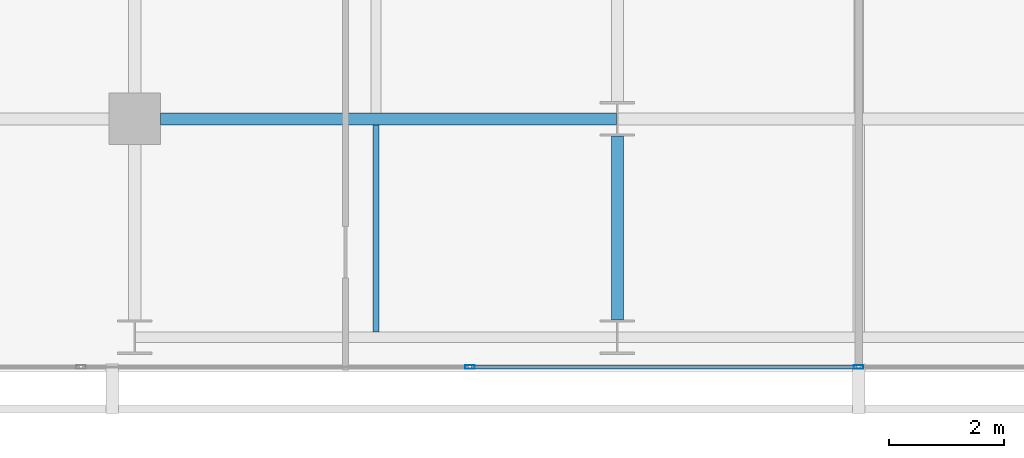
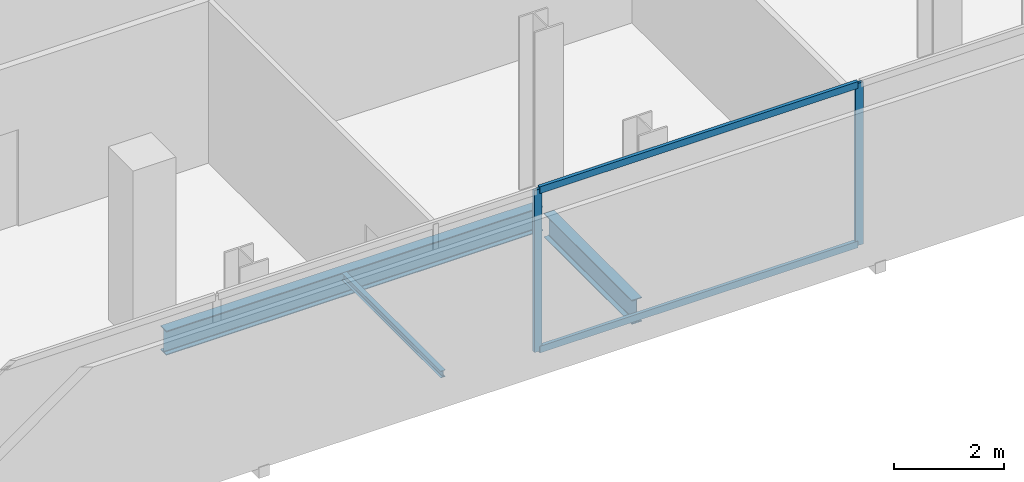
# One storey, part 6 of 32: 4 members, 3 beams, 1 element without a shape of its own.
"""IFC4 building model written with IfcOpenShell, lengths in metres."""

import ifcopenshell
import ifcopenshell.guid

model = None  # the IFC model being written
_history = None  # IfcOwnerHistory: only IFC2X3 demands one
_inside = {}  # id of a spatial element -> (the spatial element, [elements in it])
_under = {}  # id of a project, library or spatial element -> (it, [spatial elements below it])
_declared = {}  # id of a project -> (the project, [libraries it declares])
_typed = {}  # id of a type object -> (the type object, [elements of that type])
_made_of = {}  # id of a material, layer set ... -> (it, [elements and type objects made of it])


def new_model(schema):
    """Start an empty IFC model of exactly this schema.

    Asked for "IFC4X3", IfcOpenShell would pick the latest addendum, in which some entities
    have other attributes; the version numbers below select the first issue.
    IFC2X3 requires an IfcOwnerHistory on every rooted entity: one is made here for all.
    """
    global model, _history
    if schema == "IFC4X3":
        model = ifcopenshell.file(schema_version=(4, 3, 0, 0))
    else:
        model = ifcopenshell.file(schema=schema)
    _inside.clear()
    _under.clear()
    _declared.clear()
    _typed.clear()
    _made_of.clear()
    _history = None
    if model.schema == "IFC2X3":
        org = make("IfcOrganization", Name="unknown")
        user = make(
            "IfcPersonAndOrganization",
            ThePerson=make("IfcPerson", FamilyName="unknown"),
            TheOrganization=org,
        )
        app = make(
            "IfcApplication",
            ApplicationDeveloper=org,
            Version="unknown",
            ApplicationFullName="unknown",
            ApplicationIdentifier="unknown",
        )
        _history = make(
            "IfcOwnerHistory",
            OwningUser=user,
            OwningApplication=app,
            ChangeAction="ADDED",
            CreationDate=0,
        )
    return model


def make(cls, **values):
    """One entity of the class cls with the attributes given. An attribute that is None is left unset."""
    return model.create_entity(
        cls, **{name: value for name, value in values.items() if value is not None}
    )


def rooted(cls, **values):
    """An entity with a GlobalId (a new one), such as an element, a storey or a relation."""
    return make(cls, GlobalId=ifcopenshell.guid.new(), OwnerHistory=_history, **values)


def si_unit(unit_type, name, prefix=None):
    """IfcSIUnit, for example si_unit("LENGTHUNIT", "METRE", prefix="MILLI")."""
    return make("IfcSIUnit", UnitType=unit_type, Prefix=prefix, Name=name)


def assignment(units):
    """IfcUnitAssignment: the units of a project."""
    return None if units is None else make("IfcUnitAssignment", Units=units)


def point(xyz):
    """IfcCartesianPoint."""
    return None if xyz is None else make("IfcCartesianPoint", Coordinates=xyz)


def direction(xyz):
    """IfcDirection."""
    return None if xyz is None else make("IfcDirection", DirectionRatios=xyz)


def frame(location, z_axis=None, x_axis=None):
    """IfcAxis2Placement3D, a coordinate frame: its origin and axes. An axis left out is left unset."""
    return make(
        "IfcAxis2Placement3D",
        Location=point(location),
        Axis=direction(z_axis),
        RefDirection=direction(x_axis),
    )


def frame_2d(location, x_axis=None):
    """IfcAxis2Placement2D, a coordinate frame in the plane: its origin and x axis."""
    return make(
        "IfcAxis2Placement2D", Location=point(location), RefDirection=direction(x_axis)
    )


def origin():
    """The frame at (0, 0, 0) with its axes left unset."""
    return frame((0.0, 0.0, 0.0))


def origin_2d():
    """The frame at (0, 0) in the plane with its x axis left unset."""
    return frame_2d((0.0, 0.0))


def place(relative_to, where):
    """IfcLocalPlacement: puts the frame where relative to a parent placement (None: the world)."""
    return make(
        "IfcLocalPlacement", PlacementRelTo=relative_to, RelativePlacement=where
    )


def context(
    kind, dimensions, precision=None, world=None, true_north=None, identifier=None
):
    """IfcGeometricRepresentationContext, for example the 3D "Model" context."""
    return make(
        "IfcGeometricRepresentationContext",
        ContextIdentifier=identifier,
        ContextType=kind,
        CoordinateSpaceDimension=dimensions,
        Precision=precision,
        WorldCoordinateSystem=world,
        TrueNorth=true_north,
    )


def subcontext(parent, identifier, kind, view, scale=None):
    """IfcGeometricRepresentationSubContext, for example "Body" below "Model"."""
    return make(
        "IfcGeometricRepresentationSubContext",
        ContextIdentifier=identifier,
        ContextType=kind,
        ParentContext=parent,
        TargetScale=scale,
        TargetView=view,
    )


def project(units=None, contexts=None):
    """IfcProject with its units and contexts."""
    return rooted(
        "IfcProject",
        Name="project",
        RepresentationContexts=contexts,
        UnitsInContext=assignment(units),
    )


def spatial(cls, under=None, at=None, **own):
    """A site, building, storey or space (cls), placed at a placement, below another one or the project."""
    s = rooted(cls, ObjectPlacement=at, **own)
    if under is not None:
        _under.setdefault(under.id(), (under, []))[1].append(s)
    return s


def profile(cls, at=None, kind="AREA", **sizes):
    """A parametric profile (cls). Its sizes go by their IFC names, for example OverallWidth=200.0."""
    return make(cls, ProfileType=kind, Position=at, **sizes)


def hollow_rectangle(**sizes):
    """IfcRectangleHollowProfileDef."""
    return profile("IfcRectangleHollowProfileDef", **sizes)


def i_section(**sizes):
    """IfcIShapeProfileDef."""
    return profile("IfcIShapeProfileDef", **sizes)


def extrude(swept, where, along, depth):
    """IfcExtrudedAreaSolid: the profile swept, set in the frame where, extruded along a direction by depth."""
    return make(
        "IfcExtrudedAreaSolid",
        SweptArea=swept,
        Position=where,
        ExtrudedDirection=direction(along),
        Depth=depth,
    )


def shape(context_of_items, identifier, shape_type, items):
    """IfcShapeRepresentation: the items that make up one representation, for example the "Body"."""
    return make(
        "IfcShapeRepresentation",
        ContextOfItems=context_of_items,
        RepresentationIdentifier=identifier,
        RepresentationType=shape_type,
        Items=items,
    )


def material(Name=None, Category=None):
    """IfcMaterial."""
    return make("IfcMaterial", Name=Name, Category=Category)


def layer(
    of_material, thickness, ventilated=None, Name=None, Category=None, Priority=None
):
    """IfcMaterialLayer: one layer of a wall or slab, of a material (None: an air gap)."""
    return make(
        "IfcMaterialLayer",
        Material=of_material,
        LayerThickness=thickness,
        IsVentilated=ventilated,
        Name=Name,
        Category=Category,
        Priority=Priority,
    )


def layer_set(layers, Name=None):
    """IfcMaterialLayerSet."""
    return make("IfcMaterialLayerSet", MaterialLayers=layers, LayerSetName=Name)


def material_profile(
    of_material, cross_section, Name=None, Category=None, Priority=None
):
    """IfcMaterialProfile: a cross section and its material."""
    return make(
        "IfcMaterialProfile",
        Name=Name,
        Material=of_material,
        Profile=cross_section,
        Priority=Priority,
        Category=Category,
    )


def profile_set(profiles, Name=None, composite=None):
    """IfcMaterialProfileSet."""
    return make(
        "IfcMaterialProfileSet",
        Name=Name,
        MaterialProfiles=profiles,
        CompositeProfile=composite,
    )


def made_of(thing, what):
    """Note that an element or type object is made of a material, layer set ...; save() writes the relation."""
    if what is not None:
        _made_of.setdefault(what.id(), (what, []))[1].append(thing)
    return thing


def type_object(cls, material=None, **own):
    """A type object (cls), such as IfcWallType, which elements share."""
    return made_of(rooted(cls, **own), material)


def element(
    cls,
    number,
    at=None,
    inside=None,
    cuts=None,
    type_object=None,
    material=None,
    context=None,
    identifier="Body",
    shape_type=None,
    held_by="IfcProductDefinitionShape",
    body=None,
    shapes=None,
    **own,
):
    """One element of the class cls, such as IfcWall. Its Tag is "e" and its number.

    at: its placement. inside: the storey or other place that contains it. cuts: it is an
    opening in that element (IfcRelVoidsElement). A single representation is given by context,
    identifier, shape_type and body (its items); several are given by shapes. held_by: the class
    of the entity that holds the representations. save() writes the other relations.
    """
    e = rooted(cls, Tag="e%d" % number, ObjectPlacement=at, **own)
    if body is not None:
        shapes = [shape(context, identifier, shape_type, body)]
    if shapes is not None:
        e.Representation = make(held_by, Representations=shapes)
    if inside is not None:
        _inside.setdefault(inside.id(), (inside, []))[1].append(e)
    if cuts is not None:
        rooted(
            "IfcRelVoidsElement", RelatingBuildingElement=cuts, RelatedOpeningElement=e
        )
    if type_object is not None:
        _typed.setdefault(type_object.id(), (type_object, []))[1].append(e)
    return made_of(e, material)


def aggregate(whole, parts):
    """IfcRelAggregates: a whole, such as a stair, and the parts it consists of."""
    return rooted("IfcRelAggregates", RelatingObject=whole, RelatedObjects=parts)


def save(model, path):
    """Write the relations noted so far, then the file.

    IfcRelAggregates (storeys below a building ...), IfcRelContainedInSpatialStructure (elements
    in a storey), IfcRelDefinesByType, IfcRelAssociatesMaterial and IfcRelDeclares: one each for
    every whole, place, type object, material and project.
    """
    for whole, parts in _under.values():
        aggregate(whole, parts)
    for where, things in _inside.values():
        rooted(
            "IfcRelContainedInSpatialStructure",
            RelatedElements=things,
            RelatingStructure=where,
        )
    for kind, things in _typed.values():
        rooted("IfcRelDefinesByType", RelatedObjects=things, RelatingType=kind)
    for what, things in _made_of.values():
        rooted("IfcRelAssociatesMaterial", RelatedObjects=things, RelatingMaterial=what)
    for by, libraries in _declared.values():
        rooted("IfcRelDeclares", RelatingContext=by, RelatedDefinitions=libraries)
    model.write(path)


model = new_model("IFC4")

# Units and contexts
model_context = context("Model", 3, precision=1e-05, world=origin(), true_north=direction((0.0, 1.0)))
body_context = subcontext(model_context, "Body", "Model", "MODEL_VIEW")
ifc_project = project(units=[si_unit("LENGTHUNIT", "METRE"), si_unit("AREAUNIT", "SQUARE_METRE"), si_unit("VOLUMEUNIT", "CUBIC_METRE"), si_unit("PLANEANGLEUNIT", "RADIAN"), si_unit("MASSUNIT", "GRAM", prefix="KILO")], contexts=[model_context])

# Site, building, storey
site_placement = place(None, origin())
site = spatial("IfcSite", under=ifc_project, at=site_placement, CompositionType="ELEMENT")
building_placement = place(site_placement, origin())
building = spatial("IfcBuilding", under=site, at=building_placement, Name="Maruvema Waterfront Hotel and Observation Tower", CompositionType="ELEMENT")
storey_placement = place(building_placement, frame((0.0, 0.0, 219.800048828125)))
storey = spatial("IfcBuildingStorey", under=building, at=storey_placement, Name="L54", CompositionType="ELEMENT", Elevation=219.800048828125)

# Curtain wall, members
ifc_material_1 = material(Name="Anodised bronze aluminium and solar-control low-E IGU", Category="aluminium")
ifc_layer = layer(ifc_material_1, 0.159912109375, Name="Zone 2 Amber Inner Thermal Curtain Wall System CW-03")
ifc_layer_set = layer_set([ifc_layer], Name="Anodised bronze aluminium and solar-control low-E IGU")
curtain_wall_type = type_object("IfcCurtainWallType", Name="Zone 2 Amber Inner Thermal Curtain Wall System CW-03", PredefinedType="USERDEFINED", material=ifc_layer_set)
curtain_wall_placement = place(storey_placement, origin())
curtain_wall = element("IfcCurtainWall", 1, at=curtain_wall_placement, inside=storey, type_object=curtain_wall_type, Name="L54 Curtain Wall CW-L54-S", ObjectType="UNITISED CURTAIN WALL", PredefinedType="USERDEFINED")
ifc_material_2 = material(Name="Anodised architectural bronze aluminium", Category="aluminium")
ifc_material_profile_1 = material_profile(ifc_material_2, hollow_rectangle(XDim=0.070068359375, YDim=0.14990234375, WallThickness=0.00390625, at=origin_2d()), Name="ALU-T70x150")
ifc_profile_set_1 = profile_set([ifc_material_profile_1], Name="Anodised architectural bronze aluminium")
member_type_1 = type_object("IfcMemberType", Name="Curtain Wall Horizontal Transom ALU-T70x150", PredefinedType="USERDEFINED", material=ifc_profile_set_1)
member_1_placement = place(storey_placement, frame((31.063232421875, 4.679931640625, 0.030029296875), z_axis=(1.0, 0.0, 0.0), x_axis=(0.0, 1.0, 0.0)))
member_1 = element("IfcMember", 2, at=member_1_placement, type_object=member_type_1, Name="CW-03 transom 3.1", ObjectType="TRANSOM", PredefinedType="USERDEFINED", context=body_context, shape_type="SweptSolid", body=[
    extrude(hollow_rectangle(XDim=0.070068359375, YDim=0.14990234375, WallThickness=0.00390625, at=origin_2d()), origin(), (0.0, 0.0, 1.0), 6.706787109375),
])
member_2_placement = place(storey_placement, frame((31.063232421875, 4.679931640625, 3.579833984375), z_axis=(1.0, 0.0, 0.0), x_axis=(0.0, 1.0, 0.0)))
member_2 = element("IfcMember", 3, at=member_2_placement, type_object=member_type_1, Name="CW-03 transom 3.2", ObjectType="TRANSOM", PredefinedType="USERDEFINED", context=body_context, shape_type="SweptSolid", body=[
    extrude(hollow_rectangle(XDim=0.070068359375, YDim=0.14990234375, WallThickness=0.00390625, at=origin_2d()), origin(), (0.0, 0.0, 1.0), 6.706787109375),
])
ifc_material_3 = material(Name="Anodised architectural bronze aluminium", Category="aluminium")
ifc_material_profile_2 = material_profile(ifc_material_3, hollow_rectangle(XDim=0.06494140625, YDim=0.1650390625, WallThickness=0.00390625, at=origin_2d()), Name="ALU-M65x165")
ifc_profile_set_2 = profile_set([ifc_material_profile_2], Name="Anodised architectural bronze aluminium")
member_type_2 = type_object("IfcMemberType", Name="Curtain Wall Primary Mullion ALU-M65x165", PredefinedType="MULLION", material=ifc_profile_set_2)
member_3_placement = place(storey_placement, frame((31.033447265625, 4.679931640625, 0.0), z_axis=(0.0, 0.0, 1.0), x_axis=(0.0, 1.0, 0.0)))
member_3 = element("IfcMember", 4, at=member_3_placement, type_object=member_type_2, Name="CW-03 mullion 3", PredefinedType="MULLION", context=body_context, shape_type="SweptSolid", body=[
    extrude(hollow_rectangle(XDim=0.06494140625, YDim=0.1650390625, WallThickness=0.00390625, at=origin_2d()), origin(), (0.0, 0.0, 1.0), 3.60986328125),
])
member_4_placement = place(storey_placement, frame((37.800048828125, 4.679931640625, 0.0), z_axis=(0.0, 0.0, 1.0), x_axis=(0.0, 1.0, 0.0)))
member_4 = element("IfcMember", 5, at=member_4_placement, type_object=member_type_2, Name="CW-03 mullion 4", PredefinedType="MULLION", context=body_context, shape_type="SweptSolid", body=[
    extrude(hollow_rectangle(XDim=0.06494140625, YDim=0.1650390625, WallThickness=0.00390625, at=origin_2d()), origin(), (0.0, 0.0, 1.0), 3.60986328125),
])
aggregate(curtain_wall, [member_3, member_4, member_1, member_2])

# Beams
ifc_material_4 = material(Name="Steel ASTM A572 Grade 50", Category="steel")
ifc_material_profile_3 = material_profile(ifc_material_4, i_section(OverallWidth=0.2109375, OverallDepth=0.5390625, WebThickness=0.01171875, FlangeThickness=0.018798828125, FilletRadius=0.014892578125, at=origin_2d()), Name="W530x109.0")
ifc_profile_set_3 = profile_set([ifc_material_profile_3], Name="Steel ASTM A572 Grade 50")
beam_type_1 = type_object("IfcBeamType", Name="Primary Floor Girder W530x109.0", PredefinedType="BEAM", material=ifc_profile_set_3)
beam_1_placement = place(storey_placement, frame((25.64990234375, 9.0, -0.509521484375), z_axis=(1.0, 0.0, 0.0), x_axis=(0.0, 1.0, 0.0)))
element("IfcBeam", 6, at=beam_1_placement, inside=storey, type_object=beam_type_1, Name="L54 Floor Girder EW-06", PredefinedType="BEAM", context=body_context, shape_type="SweptSolid", body=[
    extrude(i_section(OverallWidth=0.2109375, OverallDepth=0.5390625, WebThickness=0.01171875, FlangeThickness=0.018798828125, FilletRadius=0.014892578125, at=origin_2d()), origin(), (0.0, 0.0, 1.0), 7.9375),
])
beam_2_placement = place(storey_placement, frame((33.60009765625, 5.5, -0.509521484375), z_axis=(0.0, 1.0, 0.0), x_axis=(-1.0, 0.0, 0.0)))
element("IfcBeam", 7, at=beam_2_placement, inside=storey, type_object=beam_type_1, Name="L54 Floor Girder NS-14", PredefinedType="BEAM", context=body_context, shape_type="SweptSolid", body=[
    extrude(i_section(OverallWidth=0.2109375, OverallDepth=0.5390625, WebThickness=0.01171875, FlangeThickness=0.018798828125, FilletRadius=0.014892578125, at=origin_2d()), origin(), (0.0, 0.0, 1.0), 3.199951171875),
])
ifc_material_5 = material(Name="Steel ASTM A572 Grade 50", Category="steel")
ifc_material_profile_4 = material_profile(ifc_material_5, i_section(OverallWidth=0.10009765625, OverallDepth=0.153076171875, WebThickness=0.005859375, FlangeThickness=0.007080078125, FilletRadius=0.008056640625, at=origin_2d()), Name="W150x18.0")
ifc_profile_set_4 = profile_set([ifc_material_profile_4], Name="Steel ASTM A572 Grade 50")
beam_type_2 = type_object("IfcBeamType", Name="Secondary Floor Joist W150x18.0", PredefinedType="JOIST", material=ifc_profile_set_4)
beam_3_placement = place(storey_placement, frame((29.39990234375, 5.28955078125, -0.316650390625), z_axis=(0.0, 1.0, 0.0), x_axis=(-1.0, 0.0, 0.0)))
element("IfcBeam", 8, at=beam_3_placement, inside=storey, type_object=beam_type_2, Name="L54 Secondary Floor Joist JS-05", PredefinedType="JOIST", context=body_context, shape_type="SweptSolid", body=[
    extrude(i_section(OverallWidth=0.10009765625, OverallDepth=0.153076171875, WebThickness=0.005859375, FlangeThickness=0.007080078125, FilletRadius=0.008056640625, at=origin_2d()), origin(), (0.0, 0.0, 1.0), 3.60498046875),
])

save(model, "model.ifc")
